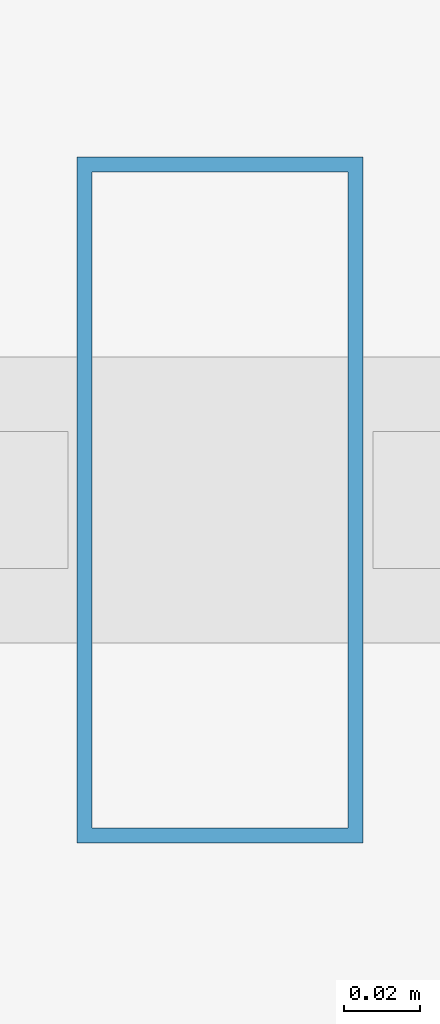
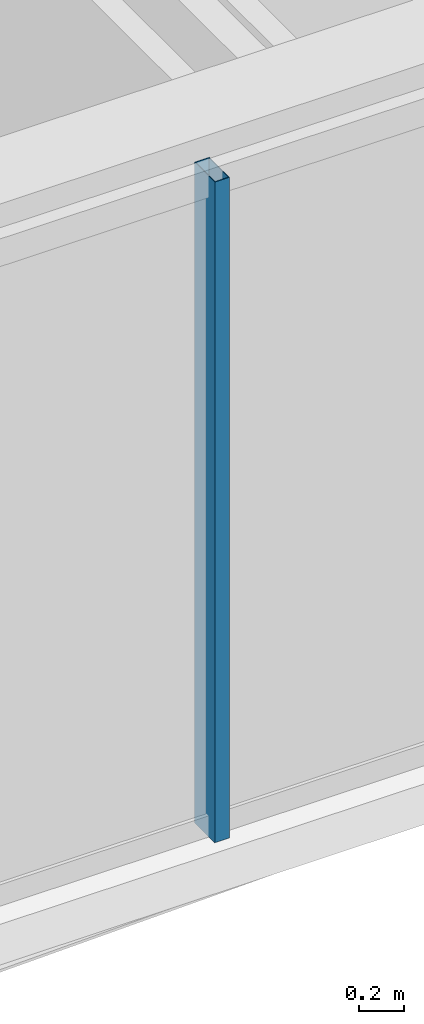
# One storey, part 9 of 31: 1 member, 1 element without a shape of its own.
"""IFC4 building model written with IfcOpenShell, lengths in metres."""

from ifc_helpers import new_model, si_unit, direction, frame, origin, origin_2d, place, context, subcontext, project, spatial, hollow_rectangle, extrude, material, layer, layer_set, material_profile, profile_set, type_object, element, aggregate, save


model = new_model("IFC4")

# Units and contexts
model_context = context("Model", 3, precision=1e-05, world=origin(), true_north=direction((0.0, 1.0)))
body_context = subcontext(model_context, "Body", "Model", "MODEL_VIEW")
ifc_project = project(units=[si_unit("LENGTHUNIT", "METRE"), si_unit("AREAUNIT", "SQUARE_METRE"), si_unit("VOLUMEUNIT", "CUBIC_METRE"), si_unit("PLANEANGLEUNIT", "RADIAN"), si_unit("MASSUNIT", "GRAM", prefix="KILO")], contexts=[model_context])

# Site, building, storey
site_placement = place(None, origin())
site = spatial("IfcSite", under=ifc_project, at=site_placement, CompositionType="ELEMENT")
building_placement = place(site_placement, origin())
building = spatial("IfcBuilding", under=site, at=building_placement, Name="Ndaravel Arena Tower", CompositionType="ELEMENT")
storey_placement = place(building_placement, frame((0.0, 0.0, 138.39990234375)))
storey = spatial("IfcBuildingStorey", under=building, at=storey_placement, Name="L32", CompositionType="ELEMENT", Elevation=138.39990234375)

# Curtain wall, member
ifc_material_1 = material(Name="Aluminium", Category="aluminium")
ifc_layer = layer(ifc_material_1, 0.179931640625)
ifc_layer_set = layer_set([ifc_layer], Name="Aluminium")
curtain_wall_type = type_object("IfcCurtainWallType", Name="CW-SYS-03", PredefinedType="NOTDEFINED", material=ifc_layer_set)
curtain_wall_placement = place(storey_placement, origin())
curtain_wall = element("IfcCurtainWall", 1, at=curtain_wall_placement, inside=storey, type_object=curtain_wall_type, Name="L32 Faceted Crystal Curtain Wall CW-L32-E01", PredefinedType="NOTDEFINED")
ifc_material_2 = material(Name="Aluminium", Category="aluminium")
ifc_material_profile = material_profile(ifc_material_2, hollow_rectangle(XDim=0.074951171875, YDim=0.179931640625, WallThickness=0.00390625, at=origin_2d()), Name="CW MULLION 75x180x4")
ifc_profile_set = profile_set([ifc_material_profile], Name="Aluminium")
member_type = type_object("IfcMemberType", Name="MEM-CW-MUL180", PredefinedType="MULLION", material=ifc_profile_set)
member_placement = place(storey_placement, frame((46.43994140625, 5.159912109375, 0.0), z_axis=(0.0, 0.0, 1.0), x_axis=(1.0, 0.0, 0.0)))
member = element("IfcMember", 2, at=member_placement, type_object=member_type, Name="CW-L32-E01 Mullion 05", PredefinedType="MULLION", context=body_context, shape_type="SweptSolid", body=[
    extrude(hollow_rectangle(XDim=0.074951171875, YDim=0.179931640625, WallThickness=0.00390625, at=origin_2d()), origin(), (0.0, 0.0, 1.0), 3.580078125),
])
aggregate(curtain_wall, [member])

save(model, "model.ifc")
